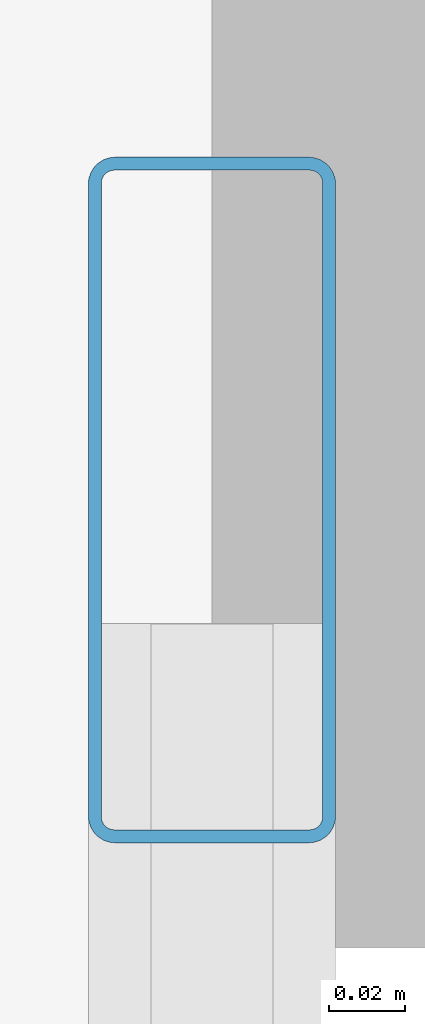
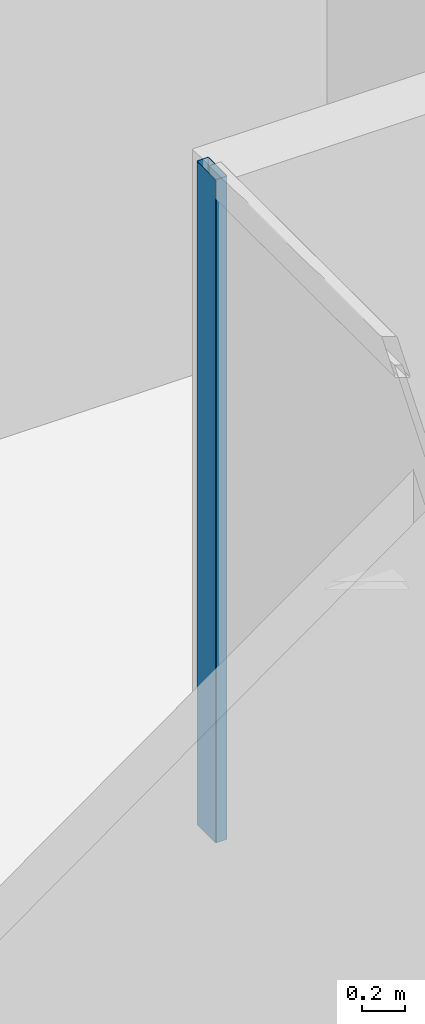
# One storey, part 20 of 45: 1 member, 1 element without a shape of its own.
"""IFC4 building model written with IfcOpenShell, lengths in metres."""

from ifc_helpers import new_model, si_unit, direction, frame, origin, origin_2d, place, context, subcontext, project, spatial, hollow_rectangle, extrude, material, layer, layer_set, material_profile, profile_set, type_object, element, aggregate, save


model = new_model("IFC4")

# Units and contexts
model_context = context("Model", 3, precision=1e-05, world=origin(), true_north=direction((0.0, 1.0)))
body_context = subcontext(model_context, "Body", "Model", "MODEL_VIEW")
ifc_project = project(units=[si_unit("LENGTHUNIT", "METRE"), si_unit("AREAUNIT", "SQUARE_METRE"), si_unit("VOLUMEUNIT", "CUBIC_METRE"), si_unit("PLANEANGLEUNIT", "RADIAN"), si_unit("MASSUNIT", "GRAM", prefix="KILO")], contexts=[model_context])

# Site, building, storey
site_placement = place(None, origin())
site = spatial("IfcSite", under=ifc_project, at=site_placement, CompositionType="ELEMENT")
building_placement = place(site_placement, origin())
building = spatial("IfcBuilding", under=site, at=building_placement, Name="Qorvath Tower", CompositionType="ELEMENT")
storey_placement = place(building_placement, frame((0.0, 0.0, 109.800048828125)))
storey = spatial("IfcBuildingStorey", under=building, at=storey_placement, Name="L24", CompositionType="ELEMENT", Elevation=109.800048828125)

# Curtain wall, member
ifc_material_1 = material(Name="Anodised aluminium and triple low-E glass", Category="aluminium")
ifc_layer = layer(ifc_material_1, 0.179931640625)
ifc_layer_set = layer_set([ifc_layer], Name="CW-SYS-2")
curtain_wall_type = type_object("IfcCurtainWallType", Name="CW-SYS-2", PredefinedType="NOTDEFINED", material=ifc_layer_set)
curtain_wall_placement = place(storey_placement, origin())
curtain_wall = element("IfcCurtainWall", 1, at=curtain_wall_placement, inside=storey, type_object=curtain_wall_type, Name="Curtain Wall CW-2 CW-T-L24-9.1", PredefinedType="NOTDEFINED")
ifc_material_2 = material(Name="Anodised aluminium 6063-T6", Category="aluminium")
ifc_material_profile = material_profile(ifc_material_2, hollow_rectangle(XDim=0.06494140625, YDim=0.179931640625, WallThickness=0.00341796875, InnerFilletRadius=0.00341796875, OuterFilletRadius=0.007080078125, at=origin_2d()), Name="CWM 180x65")
ifc_profile_set = profile_set([ifc_material_profile], Name="Anodised aluminium 6063-T6")
member_type = type_object("IfcMemberType", Name="CWM-180", PredefinedType="MULLION", material=ifc_profile_set)
member_placement = place(storey_placement, frame((1.648681640625, 4.978759765625, 0.0), z_axis=(0.0, 0.0, 1.0), x_axis=(-1.0, 0.0, 0.0)))
member = element("IfcMember", 2, at=member_placement, type_object=member_type, Name="CW-2 mullion 3", PredefinedType="MULLION", context=body_context, shape_type="SweptSolid", body=[
    extrude(hollow_rectangle(XDim=0.06494140625, YDim=0.179931640625, WallThickness=0.00341796875, InnerFilletRadius=0.00341796875, OuterFilletRadius=0.007080078125, at=origin_2d()), origin(), (0.0, 0.0, 1.0), 3.77001953125),
])
aggregate(curtain_wall, [member])

save(model, "model.ifc")
